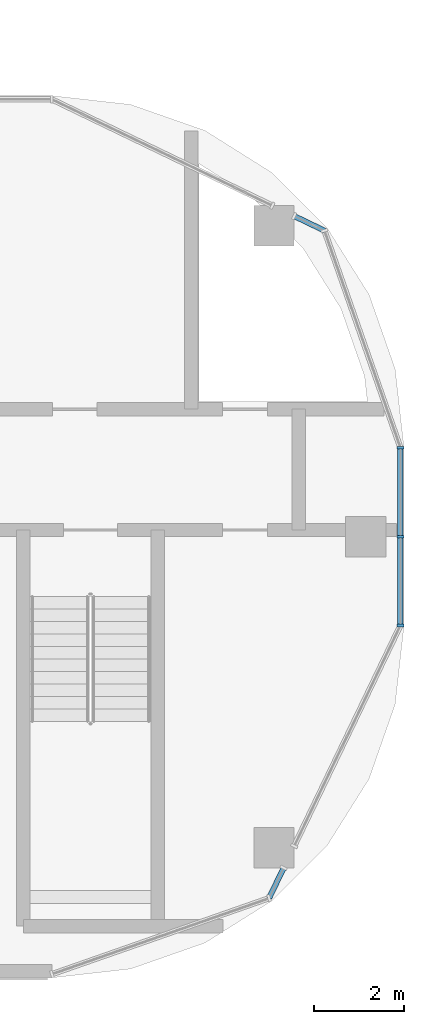
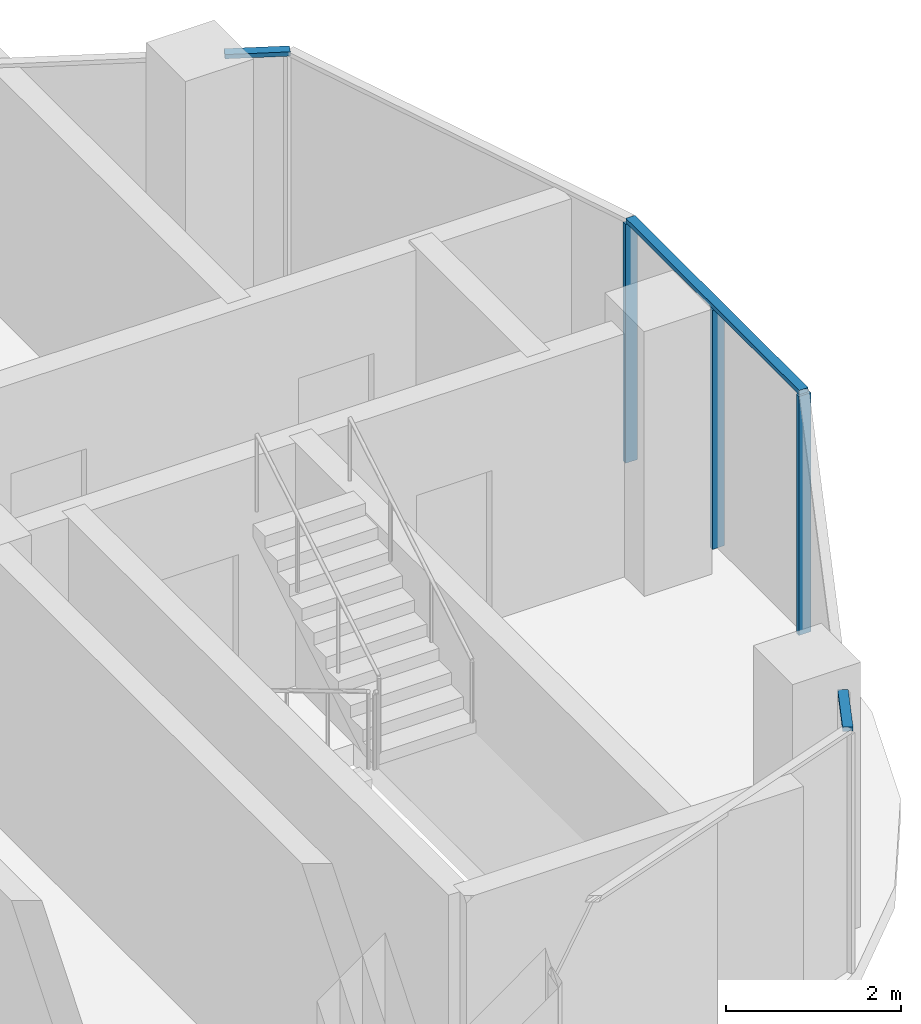
# One storey, part 7 of 20: 6 members, 3 elements without a shape of their own.
"""IFC4 building model written with IfcOpenShell, lengths in metres."""

from ifc_helpers import new_model, si_unit, direction, frame, origin, origin_2d, place, context, subcontext, project, spatial, rectangle, extrude, material, material_profile, profile_set, type_object, element, aggregate, save


model = new_model("IFC4")

# Units and contexts
model_context = context("Model", 3, precision=1e-05, world=origin(), true_north=direction((0.0, 1.0)))
body_context = subcontext(model_context, "Body", "Model", "MODEL_VIEW")
ifc_project = project(units=[si_unit("LENGTHUNIT", "METRE"), si_unit("AREAUNIT", "SQUARE_METRE"), si_unit("VOLUMEUNIT", "CUBIC_METRE"), si_unit("PLANEANGLEUNIT", "RADIAN"), si_unit("MASSUNIT", "GRAM", prefix="KILO")], contexts=[model_context])

# Site, building, storey
site_placement = place(None, origin())
site = spatial("IfcSite", under=ifc_project, at=site_placement, CompositionType="ELEMENT")
building_placement = place(site_placement, origin())
building = spatial("IfcBuilding", under=site, at=building_placement, Name="Ogive Portal Towers", CompositionType="ELEMENT")
storey_placement = place(building_placement, frame((0.0, 0.0, 210.60009765625)))
storey = spatial("IfcBuildingStorey", under=building, at=storey_placement, Name="L52", CompositionType="ELEMENT", Elevation=210.60009765625)

# Curtain wall, members
ifc_material_1 = material(Name="Glass, clear low-iron insulated glazing", Category="glass")
curtain_wall_type = type_object("IfcCurtainWallType", Name="CW FRONT RIBBON 4500", PredefinedType="NOTDEFINED", material=ifc_material_1)
curtain_wall_1_placement = place(storey_placement, origin())
curtain_wall_1 = element("IfcCurtainWall", 1, at=curtain_wall_1_placement, inside=storey, type_object=curtain_wall_type, Name="A:L52:f08:cw0", PredefinedType="NOTDEFINED")
ifc_material_2 = material(Name="Aluminium 6063 anodised", Category="aluminium")
ifc_material_profile_1 = material_profile(ifc_material_2, rectangle(XDim=0.159912109375, YDim=0.06005859375, at=origin_2d()), Name="AL 60x160")
ifc_profile_set_1 = profile_set([ifc_material_profile_1], Name="Aluminium 6063 anodised")
member_type_1 = type_object("IfcMemberType", Name="CW MULLION 60x160", PredefinedType="MULLION", material=ifc_profile_set_1)
member_1_placement = place(storey_placement, frame((95.27490234375, 28.518310546875, 0.0), z_axis=(0.0, 0.0, 1.0), x_axis=(-1.0, 0.0, 0.0)))
member_1 = element("IfcMember", 2, at=member_1_placement, type_object=member_type_1, Name="mullion", PredefinedType="MULLION", context=body_context, shape_type="SweptSolid", body=[
    extrude(rectangle(XDim=0.159912109375, YDim=0.06005859375, at=origin_2d()), origin(), (0.0, 0.0, 1.0), 3.33984375),
])
member_2_placement = place(storey_placement, frame((95.27490234375, 30.5, 0.0), z_axis=(0.0, 0.0, 1.0), x_axis=(-1.0, 0.0, 0.0)))
member_2 = element("IfcMember", 3, at=member_2_placement, type_object=member_type_1, Name="mullion", PredefinedType="MULLION", context=body_context, shape_type="SweptSolid", body=[
    extrude(rectangle(XDim=0.159912109375, YDim=0.06005859375, at=origin_2d()), origin(), (0.0, 0.0, 1.0), 3.33984375),
])
member_3_placement = place(storey_placement, frame((95.27490234375, 32.486328125, 0.0), z_axis=(0.0, 0.0, 1.0), x_axis=(-1.0, 0.0, 0.0)))
member_3 = element("IfcMember", 4, at=member_3_placement, type_object=member_type_1, Name="mullion", PredefinedType="MULLION", context=body_context, shape_type="SweptSolid", body=[
    extrude(rectangle(XDim=0.159912109375, YDim=0.06005859375, at=origin_2d()), origin(), (0.0, 0.0, 1.0), 3.33984375),
])
ifc_material_profile_2 = material_profile(ifc_material_2, rectangle(XDim=0.1201171875, YDim=0.06005859375, at=origin_2d()), Name="AL 120x60")
ifc_profile_set_2 = profile_set([ifc_material_profile_2], Name="Aluminium 6063 anodised")
member_type_2 = type_object("IfcMemberType", Name="CW TRANSOM 60x120", PredefinedType="USERDEFINED", material=ifc_profile_set_2)
member_4_placement = place(storey_placement, frame((95.27490234375, 28.518310546875, 3.369873046875), z_axis=(0.0, 1.0, 0.0), x_axis=(-1.0, 0.0, 0.0)))
member_4 = element("IfcMember", 5, at=member_4_placement, type_object=member_type_2, Name="transom", ObjectType="TRANSOM", PredefinedType="USERDEFINED", context=body_context, shape_type="SweptSolid", body=[
    extrude(rectangle(XDim=0.1201171875, YDim=0.06005859375, at=origin_2d()), origin(), (0.0, 0.0, 1.0), 3.968017578125),
])
aggregate(curtain_wall_1, [member_4, member_1, member_2, member_3])

# Curtain wall, member
curtain_wall_2_placement = place(storey_placement, origin())
curtain_wall_2 = element("IfcCurtainWall", 6, at=curtain_wall_2_placement, inside=storey, type_object=curtain_wall_type, Name="A:L52:f06:cwa~0", PredefinedType="NOTDEFINED")
member_5_placement = place(storey_placement, frame((92.33984375, 22.42333984375, 3.369873046875), z_axis=(0.433903567931, 0.90095931858, 0.0), x_axis=(-0.90095931858, 0.433903567931, 0.0)))
member_5 = element("IfcMember", 7, at=member_5_placement, type_object=member_type_2, Name="transom", ObjectType="TRANSOM", PredefinedType="USERDEFINED", context=body_context, shape_type="SweptSolid", body=[
    extrude(rectangle(XDim=0.1201171875, YDim=0.06005859375, at=origin_2d()), origin(), (0.0, 0.0, 1.0), 0.751220703125),
])
aggregate(curtain_wall_2, [member_5])

curtain_wall_3_placement = place(storey_placement, origin())
curtain_wall_3 = element("IfcCurtainWall", 8, at=curtain_wall_3_placement, inside=storey, type_object=curtain_wall_type, Name="A:L52:f09:cwa~0", PredefinedType="NOTDEFINED")
member_6_placement = place(storey_placement, frame((93.57666015625, 37.33984375, 3.369873046875), z_axis=(-0.90095931858, 0.433903567931, 0.0), x_axis=(-0.433903567931, -0.90095931858, 0.0)))
member_6 = element("IfcMember", 9, at=member_6_placement, type_object=member_type_2, Name="transom", ObjectType="TRANSOM", PredefinedType="USERDEFINED", context=body_context, shape_type="SweptSolid", body=[
    extrude(rectangle(XDim=0.1201171875, YDim=0.06005859375, at=origin_2d()), origin(), (0.0, 0.0, 1.0), 0.751220703125),
])
aggregate(curtain_wall_3, [member_6])

save(model, "model.ifc")
